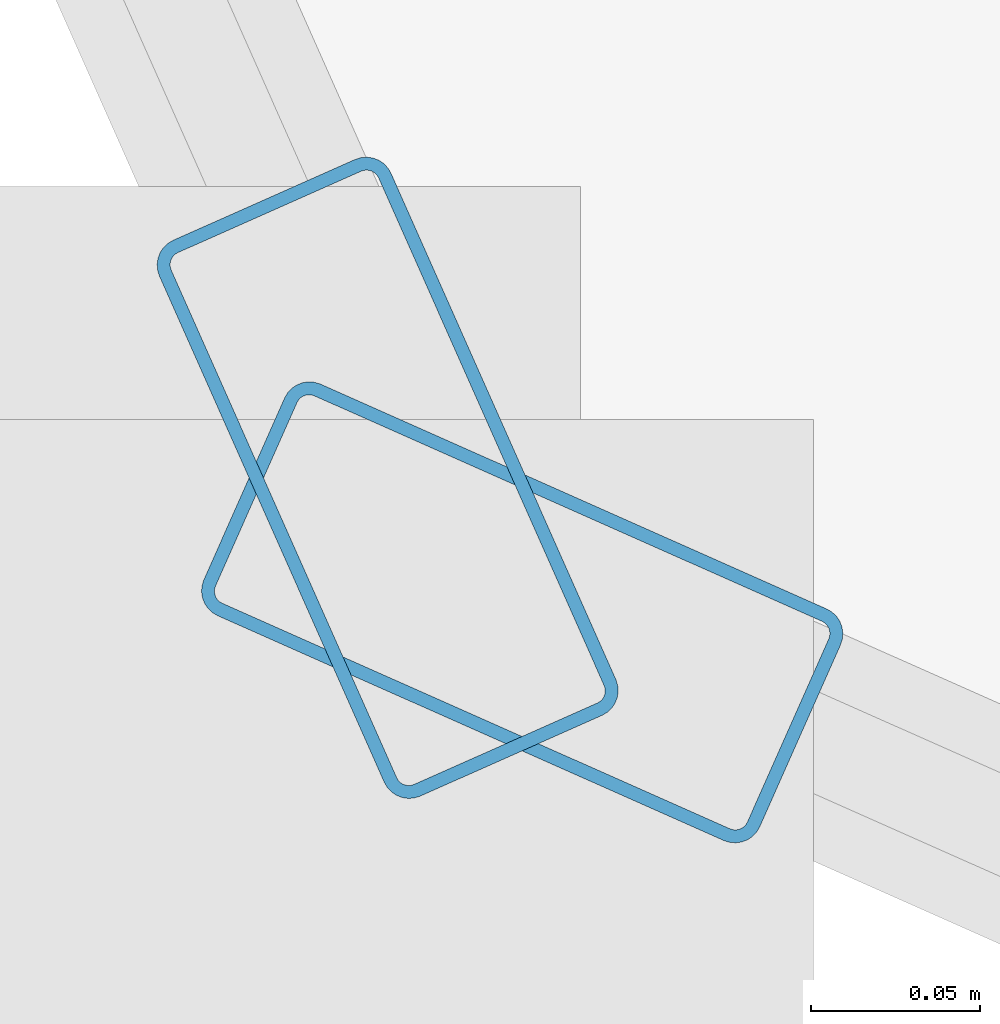
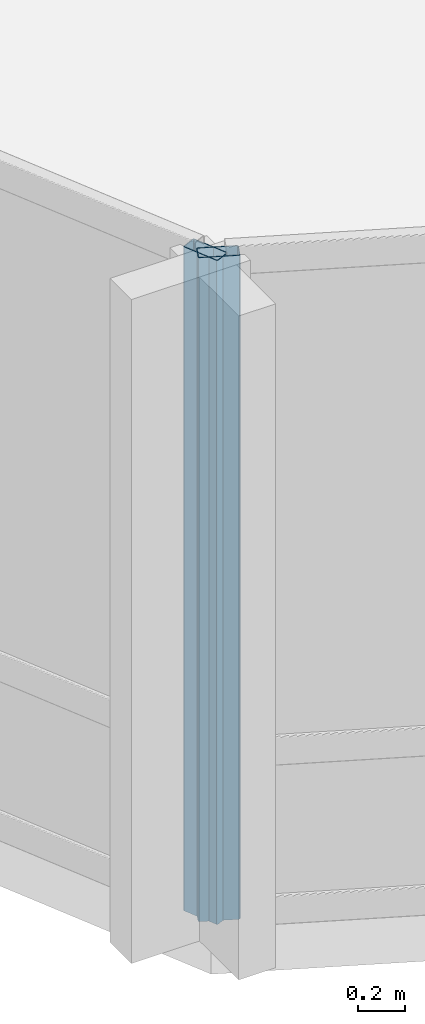
# One storey, part 2 of 34: 2 members, 2 elements without a shape of their own.
"""IFC4 building model written with IfcOpenShell, lengths in metres."""

from ifc_helpers import new_model, si_unit, direction, frame, origin, origin_2d, place, context, subcontext, project, spatial, hollow_rectangle, extrude, material, layer, layer_set, material_profile, profile_set, type_object, element, aggregate, save


model = new_model("IFC4")

# Units and contexts
model_context = context("Model", 3, precision=1e-05, world=origin(), true_north=direction((0.0, 1.0)))
body_context = subcontext(model_context, "Body", "Model", "MODEL_VIEW")
ifc_project = project(units=[si_unit("LENGTHUNIT", "METRE"), si_unit("AREAUNIT", "SQUARE_METRE"), si_unit("VOLUMEUNIT", "CUBIC_METRE"), si_unit("PLANEANGLEUNIT", "RADIAN"), si_unit("MASSUNIT", "GRAM", prefix="KILO")], contexts=[model_context])

# Site, building, storey
site_placement = place(None, origin())
site = spatial("IfcSite", under=ifc_project, at=site_placement, CompositionType="ELEMENT")
building_placement = place(site_placement, origin())
building = spatial("IfcBuilding", under=site, at=building_placement, Name="Solvaryn Broadcast Tower", CompositionType="ELEMENT")
storey_placement = place(building_placement, frame((0.0, 0.0, 47.10009765625)))
storey = spatial("IfcBuildingStorey", under=building, at=storey_placement, Name="L10", CompositionType="ELEMENT", Elevation=47.10009765625)

# Curtain wall, member
ifc_material_1 = material(Name="Aluminium and Terracotta Unitised Curtain Wall", Category="masonry")
ifc_layer_1 = layer(ifc_material_1, 0.239990234375)
ifc_layer_set_1 = layer_set([ifc_layer_1], Name="CW-SYS3-BAYBOX")
curtain_wall_type_1 = type_object("IfcCurtainWallType", Name="CW-SYS3-BAYBOX", PredefinedType="NOTDEFINED", material=ifc_layer_set_1)
curtain_wall_1_placement = place(storey_placement, origin())
curtain_wall_1 = element("IfcCurtainWall", 1, at=curtain_wall_1_placement, inside=storey, type_object=curtain_wall_type_1, Name="L10 Curtain Wall DR2", PredefinedType="NOTDEFINED")
ifc_material_2 = material(Name="Anodised Aluminium 6063-T6", Category="aluminium")
ifc_material_profile = material_profile(ifc_material_2, hollow_rectangle(XDim=0.074951171875, YDim=0.179931640625, WallThickness=0.00390625, InnerFilletRadius=0.00390625, OuterFilletRadius=0.008056640625, at=origin_2d()))
ifc_profile_set = profile_set([ifc_material_profile], Name="Anodised Aluminium 6063-T6")
member_type = type_object("IfcMemberType", Name="CW-MUL-180", PredefinedType="MULLION", material=ifc_profile_set)
member_1_placement = place(storey_placement, frame((7.834716796875, 7.87451171875, 0.0), z_axis=(0.0, 0.0, 1.0), x_axis=(0.913918257271, 0.405898286554, 0.0)))
member_1 = element("IfcMember", 2, at=member_1_placement, type_object=member_type, Name="CWS3 mullion 2", PredefinedType="MULLION", context=body_context, shape_type="SweptSolid", body=[
    extrude(hollow_rectangle(XDim=0.074951171875, YDim=0.179931640625, WallThickness=0.00390625, InnerFilletRadius=0.00390625, OuterFilletRadius=0.008056640625, at=origin_2d()), origin(), (0.0, 0.0, 1.0), 3.419921875),
])
aggregate(curtain_wall_1, [member_1])

ifc_material_3 = material(Name="Aluminium and Terracotta Unitised Curtain Wall", Category="masonry")
ifc_layer_2 = layer(ifc_material_3, 0.199951171875)
ifc_layer_set_2 = layer_set([ifc_layer_2], Name="CW-SYS2-LOWMID")
curtain_wall_type_2 = type_object("IfcCurtainWallType", Name="CW-SYS2-LOWMID", PredefinedType="NOTDEFINED", material=ifc_layer_set_2)
curtain_wall_2_placement = place(storey_placement, origin())
curtain_wall_2 = element("IfcCurtainWall", 3, at=curtain_wall_2_placement, inside=storey, type_object=curtain_wall_type_2, Name="L10 Curtain Wall DR3", PredefinedType="NOTDEFINED")
member_2_placement = place(storey_placement, frame((7.87451171875, 7.834716796875, 0.0), z_axis=(0.0, 0.0, 1.0), x_axis=(0.405898286554, 0.913918257271, 0.0)))
member_2 = element("IfcMember", 4, at=member_2_placement, type_object=member_type, Name="CWS2 mullion 1", PredefinedType="MULLION", context=body_context, shape_type="SweptSolid", body=[
    extrude(hollow_rectangle(XDim=0.074951171875, YDim=0.179931640625, WallThickness=0.00390625, InnerFilletRadius=0.00390625, OuterFilletRadius=0.008056640625, at=origin_2d()), origin(), (0.0, 0.0, 1.0), 3.419921875),
])
aggregate(curtain_wall_2, [member_2])

save(model, "model.ifc")
